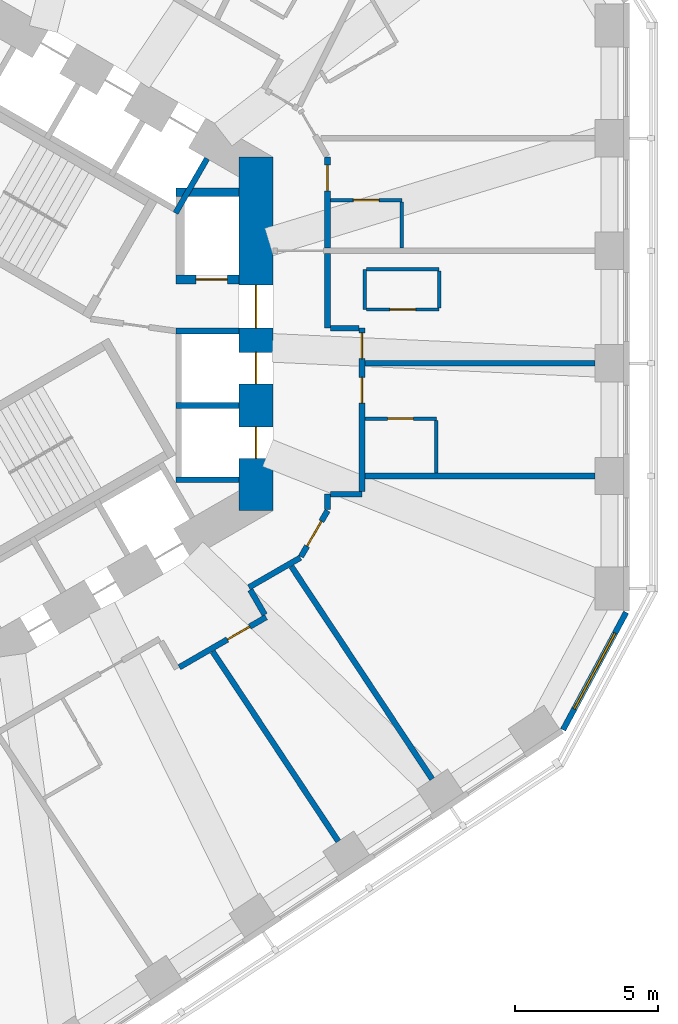
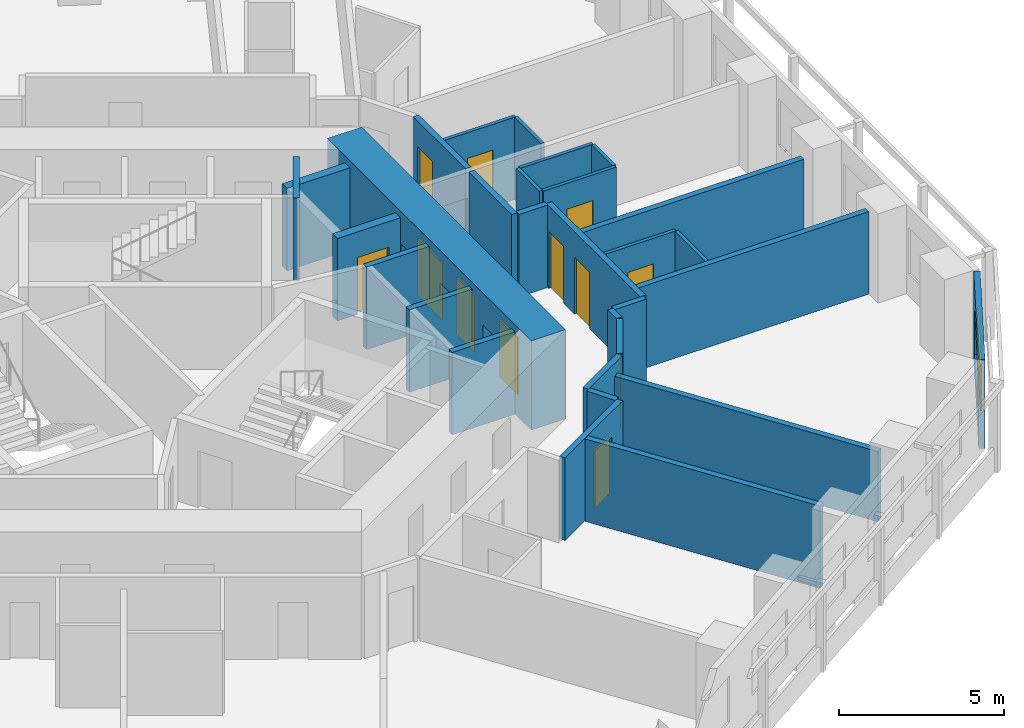
# One storey, part 6 of 12: 30 walls, 12 doors, 1 window, 13 openings.
"""IFC4 building model written with IfcOpenShell, lengths in metres."""

from ifc_helpers import new_model, si_unit, direction, frame, frame_2d, origin, place, context, subcontext, project, spatial, rectangle, extrude, material, layer, layer_set, type_object, element, fill, save


model = new_model("IFC4")

# Units and contexts
model_context = context("Model", 3, precision=1e-05, world=origin(), true_north=direction((0.0, 1.0)))
body_context = subcontext(model_context, "Body", "Model", "MODEL_VIEW")
ifc_project = project(units=[si_unit("LENGTHUNIT", "METRE"), si_unit("AREAUNIT", "SQUARE_METRE"), si_unit("VOLUMEUNIT", "CUBIC_METRE"), si_unit("PLANEANGLEUNIT", "RADIAN"), si_unit("MASSUNIT", "GRAM", prefix="KILO")], contexts=[model_context])

# Site, building, storey
site_placement = place(None, origin())
site = spatial("IfcSite", under=ifc_project, at=site_placement, CompositionType="ELEMENT")
building_placement = place(site_placement, origin())
building = spatial("IfcBuilding", under=site, at=building_placement, Name="Vanh Sen Convention Tower", CompositionType="ELEMENT")
storey_placement = place(building_placement, frame((0.0, 0.0, 50.60009765625)))
storey = spatial("IfcBuildingStorey", under=building, at=storey_placement, Name="L09", CompositionType="ELEMENT", Elevation=50.60009765625)

# Wall, opening, door
ifc_material_1 = material(Name="Moisture-resistant gypsum board on steel studs", Category="steel")
ifc_layer_1 = layer(ifc_material_1, 0.1201171875)
ifc_layer_set_1 = layer_set([ifc_layer_1], Name="Moisture-resistant gypsum board on steel studs")
wall_type_1 = type_object("IfcWallType", Name="Bathroom partition 120", PredefinedType="PARTITIONING", material=ifc_layer_set_1)
wall_1_placement = place(storey_placement, frame((12.699951171875, 4.677490234375, 0.0), z_axis=(0.0, 0.0, 1.0), x_axis=(1.0, 0.0, 0.0)))
wall_1 = element("IfcWall", 1, at=wall_1_placement, inside=storey, type_object=wall_type_1, Name="Bathroom partition 120", PredefinedType="PARTITIONING", context=body_context, shape_type="SweptSolid", body=[
    extrude(rectangle(XDim=2.5, YDim=0.1201171875, at=frame_2d((1.25, 0.0))), origin(), (0.0, 0.0, 1.0), 3.0498046875),
])
opening_1_placement = place(wall_1_placement, frame((0.800048828125, 0.0, 0.0)))
opening_1 = element("IfcOpeningElement", 2, at=opening_1_placement, cuts=wall_1, Name="Opening D07106", PredefinedType="OPENING", context=body_context, shape_type="SweptSolid", body=[
    extrude(rectangle(XDim=0.89990234375, YDim=2.10009765625, at=frame_2d((0.449951171875, 1.050048828125))), frame((0.0, 0.070068359375, 0.0), z_axis=(0.0, -1.0, 0.0), x_axis=(1.0, 0.0, 0.0)), (0.0, 0.0, 1.0), 0.14013671875),
])
ifc_material_2 = material(Name="Laminate door in steel frame", Category="steel")
door_type_1 = type_object("IfcDoorType", Name="En-suite door 900", OperationType="SINGLE_SWING_LEFT", PredefinedType="DOOR", material=ifc_material_2)
door_1_placement = place(opening_1_placement, origin())
door_1 = element("IfcDoor", 3, at=door_1_placement, inside=storey, type_object=door_type_1, Name="En-suite door D07106", OperationType="SINGLE_SWING_LEFT", OverallHeight=2.10009765625, OverallWidth=0.89990234375, PredefinedType="DOOR", context=body_context, shape_type="SweptSolid", body=[
    extrude(rectangle(XDim=0.89990234375, YDim=2.10009765625, at=frame_2d((0.449951171875, 1.050048828125))), frame((0.0, 0.02490234375, 0.0), z_axis=(0.0, -1.0, 0.0), x_axis=(1.0, 0.0, 0.0)), (0.0, 0.0, 1.0), 0.050048828125),
])
fill(opening_1, door_1)

wall_2_placement = place(storey_placement, frame((13.90087890625, -2.964599609375, 0.0), z_axis=(0.0, 0.0, 1.0), x_axis=(1.0, 0.0, 0.0)))
wall_2 = element("IfcWall", 4, at=wall_2_placement, inside=storey, type_object=wall_type_1, Name="Bathroom partition 120", PredefinedType="PARTITIONING", context=body_context, shape_type="SweptSolid", body=[
    extrude(rectangle(XDim=2.5, YDim=0.1201171875, at=frame_2d((1.25, 0.0))), origin(), (0.0, 0.0, 1.0), 3.0498046875),
])
opening_2_placement = place(wall_2_placement, frame((0.800048828125, 0.0, 0.0)))
opening_2 = element("IfcOpeningElement", 5, at=opening_2_placement, cuts=wall_2, Name="Opening D07102", PredefinedType="OPENING", context=body_context, shape_type="SweptSolid", body=[
    extrude(rectangle(XDim=0.89990234375, YDim=2.10009765625, at=frame_2d((0.449951171875, 1.050048828125))), frame((0.0, 0.070068359375, 0.0), z_axis=(0.0, -1.0, 0.0), x_axis=(1.0, 0.0, 0.0)), (0.0, 0.0, 1.0), 0.14013671875),
])
door_2_placement = place(opening_2_placement, origin())
door_2 = element("IfcDoor", 6, at=door_2_placement, inside=storey, type_object=door_type_1, Name="En-suite door D07102", OperationType="SINGLE_SWING_LEFT", OverallHeight=2.10009765625, OverallWidth=0.89990234375, PredefinedType="DOOR", context=body_context, shape_type="SweptSolid", body=[
    extrude(rectangle(XDim=0.89990234375, YDim=2.10009765625, at=frame_2d((0.449951171875, 1.050048828125))), frame((0.0, 0.02490234375, 0.0), z_axis=(0.0, -1.0, 0.0), x_axis=(1.0, 0.0, 0.0)), (0.0, 0.0, 1.0), 0.050048828125),
])
fill(opening_2, door_2)

# Walls
wall_3_placement = place(storey_placement, frame((13.89990234375, 0.852783203125, 0.0), z_axis=(0.0, 0.0, 1.0), x_axis=(0.0, 1.0, 0.0)))
element("IfcWall", 7, at=wall_3_placement, inside=storey, type_object=wall_type_1, Name="Bathroom partition 120", PredefinedType="PARTITIONING", context=body_context, shape_type="SweptSolid", body=[
    extrude(rectangle(XDim=1.39990234375, YDim=0.1201171875, at=frame_2d((0.699951171875, 0.0))), origin(), (0.0, 0.0, 1.0), 3.0498046875),
])
wall_4_placement = place(storey_placement, frame((13.9599609375, 2.252685546875, 0.0), z_axis=(0.0, 0.0, 1.0), x_axis=(1.0, 0.0, 0.0)))
element("IfcWall", 8, at=wall_4_placement, inside=storey, type_object=wall_type_1, Name="Bathroom partition 120", PredefinedType="PARTITIONING", context=body_context, shape_type="SweptSolid", body=[
    extrude(rectangle(XDim=2.5400390625, YDim=0.1201171875, at=frame_2d((1.27001953125, 0.0))), origin(), (0.0, 0.0, 1.0), 3.0498046875),
])
wall_5_placement = place(storey_placement, frame((15.199951171875, 4.61767578125, 0.0), z_axis=(0.0, 0.0, 1.0), x_axis=(0.0, -1.0, 0.0)))
element("IfcWall", 9, at=wall_5_placement, inside=storey, type_object=wall_type_1, Name="Bathroom partition 120", PredefinedType="PARTITIONING", context=body_context, shape_type="SweptSolid", body=[
    extrude(rectangle(XDim=1.61328125, YDim=0.1201171875, at=frame_2d((0.806640625, 0.0))), origin(), (0.0, 0.0, 1.0), 3.0498046875),
])
wall_6_placement = place(storey_placement, frame((16.40087890625, -3.024658203125, 0.0), z_axis=(0.0, 0.0, 1.0), x_axis=(0.0, -1.0, 0.0)))
element("IfcWall", 10, at=wall_6_placement, inside=storey, type_object=wall_type_1, Name="Bathroom partition 120", PredefinedType="PARTITIONING", context=body_context, shape_type="SweptSolid", body=[
    extrude(rectangle(XDim=1.83984375, YDim=0.1201171875, at=frame_2d((0.919921875, 0.0))), origin(), (0.0, 0.0, 1.0), 3.0498046875),
])

# Wall, opening, door
wall_7_placement = place(storey_placement, frame((16.5, 0.852783203125, 0.0), z_axis=(0.0, 0.0, 1.0), x_axis=(-1.0, 0.0, 0.0)))
wall_7 = element("IfcWall", 11, at=wall_7_placement, inside=storey, type_object=wall_type_1, Name="Bathroom partition 120", PredefinedType="PARTITIONING", context=body_context, shape_type="SweptSolid", body=[
    extrude(rectangle(XDim=2.5400390625, YDim=0.1201171875, at=frame_2d((1.27001953125, 0.0))), origin(), (0.0, 0.0, 1.0), 3.0498046875),
])
opening_3_placement = place(wall_7_placement, frame((0.820068359375, 0.0, 0.0)))
opening_3 = element("IfcOpeningElement", 12, at=opening_3_placement, cuts=wall_7, Name="Opening D07104", PredefinedType="OPENING", context=body_context, shape_type="SweptSolid", body=[
    extrude(rectangle(XDim=0.89990234375, YDim=2.10009765625, at=frame_2d((0.449951171875, 1.050048828125))), frame((0.0, 0.070068359375, 0.0), z_axis=(0.0, -1.0, 0.0), x_axis=(1.0, 0.0, 0.0)), (0.0, 0.0, 1.0), 0.14013671875),
])
door_3_placement = place(opening_3_placement, origin())
door_3 = element("IfcDoor", 13, at=door_3_placement, inside=storey, type_object=door_type_1, Name="En-suite door D07104", OperationType="SINGLE_SWING_LEFT", OverallHeight=2.10009765625, OverallWidth=0.89990234375, PredefinedType="DOOR", context=body_context, shape_type="SweptSolid", body=[
    extrude(rectangle(XDim=0.89990234375, YDim=2.10009765625, at=frame_2d((0.449951171875, 1.050048828125))), frame((0.0, 0.02490234375, 0.0), z_axis=(0.0, -1.0, 0.0), x_axis=(1.0, 0.0, 0.0)), (0.0, 0.0, 1.0), 0.050048828125),
])
fill(opening_3, door_3)

# Wall
wall_8_placement = place(storey_placement, frame((16.5, 2.19287109375, 0.0), z_axis=(0.0, 0.0, 1.0), x_axis=(0.0, -1.0, 0.0)))
element("IfcWall", 14, at=wall_8_placement, inside=storey, type_object=wall_type_1, Name="Bathroom partition 120", PredefinedType="PARTITIONING", context=body_context, shape_type="SweptSolid", body=[
    extrude(rectangle(XDim=1.280029296875, YDim=0.1201171875, at=frame_2d((0.64013671875, 0.0))), origin(), (0.0, 0.0, 1.0), 3.0498046875),
])

# Wall, openings, doors
ifc_material_3 = material(Name="Concrete C80/95", Category="concrete")
ifc_layer_2 = layer(ifc_material_3, 1.199951171875)
ifc_layer_set_2 = layer_set([ifc_layer_2], Name="Concrete C80/95")
wall_type_2 = type_object("IfcWallType", Name="Core outer wall 1200 C80/95", PredefinedType="SHEAR", material=ifc_layer_set_2)
wall_9_placement = place(storey_placement, frame((10.10009765625, -6.177490234375, 0.0), z_axis=(0.0, 0.0, 1.0), x_axis=(0.0, 1.0, 0.0)))
wall_9 = element("IfcWall", 15, at=wall_9_placement, inside=storey, type_object=wall_type_2, Name="Core wall face E L09", PredefinedType="SHEAR", context=body_context, shape_type="SweptSolid", body=[
    extrude(rectangle(XDim=12.35498046875, YDim=1.199951171875, at=frame_2d((6.177490234375, 0.0))), origin(), (0.0, 0.0, 1.0), 3.2998046875),
])
opening_4_placement = place(wall_9_placement, frame((6.377685546875, 0.0, 0.0)))
opening_4 = element("IfcOpeningElement", 16, at=opening_4_placement, cuts=wall_9, Name="Opening D07001", PredefinedType="OPENING", context=body_context, shape_type="SweptSolid", body=[
    extrude(rectangle(XDim=1.5, YDim=2.10009765625, at=frame_2d((0.75, 1.050048828125))), frame((0.0, 0.60986328125, 0.0), z_axis=(0.0, -1.0, 0.0), x_axis=(1.0, 0.0, 0.0)), (0.0, 0.0, 1.0), 1.219970703125),
])
opening_5_placement = place(wall_9_placement, frame((1.82763671875, 0.0, 0.0)))
opening_5 = element("IfcOpeningElement", 17, at=opening_5_placement, cuts=wall_9, Name="Opening LD-LR1", PredefinedType="OPENING", context=body_context, shape_type="SweptSolid", body=[
    extrude(rectangle(XDim=1.10009765625, YDim=2.10009765625, at=frame_2d((0.550048828125, 1.050048828125))), frame((0.0, 0.60986328125, 0.0), z_axis=(0.0, -1.0, 0.0), x_axis=(1.0, 0.0, 0.0)), (0.0, 0.0, 1.0), 1.219970703125),
])
opening_6_placement = place(wall_9_placement, frame((4.427490234375, 0.0, 0.0)))
opening_6 = element("IfcOpeningElement", 18, at=opening_6_placement, cuts=wall_9, Name="Opening LD-LR2", PredefinedType="OPENING", context=body_context, shape_type="SweptSolid", body=[
    extrude(rectangle(XDim=1.10009765625, YDim=2.10009765625, at=frame_2d((0.550048828125, 1.050048828125))), frame((0.0, 0.60986328125, 0.0), z_axis=(0.0, -1.0, 0.0), x_axis=(1.0, 0.0, 0.0)), (0.0, 0.0, 1.0), 1.219970703125),
])
ifc_material_4 = material(Name="Stainless steel", Category="steel")
door_type_2 = type_object("IfcDoorType", Name="Lift landing door 1100", OperationType="DOUBLE_DOOR_SLIDING", PredefinedType="DOOR", material=ifc_material_4)
door_4_placement = place(opening_5_placement, origin())
door_4 = element("IfcDoor", 19, at=door_4_placement, inside=storey, type_object=door_type_2, Name="Lift LR1 landing door LD-LR1", OperationType="DOUBLE_DOOR_SLIDING", OverallHeight=2.10009765625, OverallWidth=1.10009765625, PredefinedType="DOOR", context=body_context, shape_type="SweptSolid", body=[
    extrude(rectangle(XDim=1.10009765625, YDim=2.10009765625, at=frame_2d((0.550048828125, 1.050048828125))), frame((0.0, 0.02490234375, 0.0), z_axis=(0.0, -1.0, 0.0), x_axis=(1.0, 0.0, 0.0)), (0.0, 0.0, 1.0), 0.050048828125),
])
fill(opening_5, door_4)
door_5_placement = place(opening_6_placement, origin())
door_5 = element("IfcDoor", 20, at=door_5_placement, inside=storey, type_object=door_type_2, Name="Lift LR2 landing door LD-LR2", OperationType="DOUBLE_DOOR_SLIDING", OverallHeight=2.10009765625, OverallWidth=1.10009765625, PredefinedType="DOOR", context=body_context, shape_type="SweptSolid", body=[
    extrude(rectangle(XDim=1.10009765625, YDim=2.10009765625, at=frame_2d((0.550048828125, 1.050048828125))), frame((0.0, 0.02490234375, 0.0), z_axis=(0.0, -1.0, 0.0), x_axis=(1.0, 0.0, 0.0)), (0.0, 0.0, 1.0), 0.050048828125),
])
fill(opening_6, door_5)
ifc_material_5 = material(Name="Steel S355", Category="steel")
door_type_3 = type_object("IfcDoorType", Name="Stair lobby door 1500", OperationType="DOUBLE_DOOR_SINGLE_SWING", PredefinedType="DOOR", material=ifc_material_5)
door_6_placement = place(opening_4_placement, origin())
door_6 = element("IfcDoor", 21, at=door_6_placement, inside=storey, type_object=door_type_3, Name="Stair lobby door D07001", OperationType="DOUBLE_DOOR_SINGLE_SWING", OverallHeight=2.10009765625, OverallWidth=1.5, PredefinedType="DOOR", context=body_context, shape_type="SweptSolid", body=[
    extrude(rectangle(XDim=1.5, YDim=2.10009765625, at=frame_2d((0.75, 1.050048828125))), frame((0.0, 0.02490234375, 0.0), z_axis=(0.0, -1.0, 0.0), x_axis=(1.0, 0.0, 0.0)), (0.0, 0.0, 1.0), 0.050048828125),
])
fill(opening_4, door_6)

# Wall, opening, door
ifc_material_6 = material(Name="Gypsum board on steel studs with mineral wool", Category="steel")
ifc_layer_3 = layer(ifc_material_6, 0.199951171875)
ifc_layer_set_3 = layer_set([ifc_layer_3], Name="Gypsum board on steel studs with mineral wool")
wall_type_3 = type_object("IfcWallType", Name="Corridor partition wall 200", PredefinedType="PARTITIONING", material=ifc_layer_set_3)
wall_10_placement = place(storey_placement, frame((7.419189453125, -11.652587890625, 0.0), z_axis=(0.0, 0.0, 1.0), x_axis=(0.866038154057, 0.49997791523, 0.0)))
wall_10 = element("IfcWall", 22, at=wall_10_placement, inside=storey, type_object=wall_type_3, Name="Corridor partition wall 200", PredefinedType="PARTITIONING", context=body_context, shape_type="SweptSolid", body=[
    extrude(rectangle(XDim=3.502197265625, YDim=0.199951171875, at=frame_2d((1.7509765625, 0.0))), origin(), (0.0, 0.0, 1.0), 3.0498046875),
])
opening_7_placement = place(wall_10_placement, frame((1.939697265625, 0.0, 0.0)))
opening_7 = element("IfcOpeningElement", 23, at=opening_7_placement, cuts=wall_10, Name="Opening D07131", PredefinedType="OPENING", context=body_context, shape_type="SweptSolid", body=[
    extrude(rectangle(XDim=0.89990234375, YDim=2.10009765625, at=frame_2d((0.449951171875, 1.050048828125))), frame((0.0, 0.10986328125, 0.0), z_axis=(0.0, -1.0, 0.0), x_axis=(1.0, 0.0, 0.0)), (0.0, 0.0, 1.0), 0.219970703125),
])
ifc_material_7 = material(Name="Timber fire door in steel frame", Category="steel")
door_type_4 = type_object("IfcDoorType", Name="Floor service door 900", OperationType="SINGLE_SWING_LEFT", PredefinedType="DOOR", material=ifc_material_7)
door_7_placement = place(opening_7_placement, origin())
door_7 = element("IfcDoor", 24, at=door_7_placement, inside=storey, type_object=door_type_4, Name="Service room door D07131", OperationType="SINGLE_SWING_LEFT", OverallHeight=2.10009765625, OverallWidth=0.89990234375, PredefinedType="DOOR", context=body_context, shape_type="SweptSolid", body=[
    extrude(rectangle(XDim=0.89990234375, YDim=2.10009765625, at=frame_2d((0.449951171875, 1.050048828125))), frame((0.0, 0.02490234375, 0.0), z_axis=(0.0, -1.0, 0.0), x_axis=(1.0, 0.0, 0.0)), (0.0, 0.0, 1.0), 0.050048828125),
])
fill(opening_7, door_7)

# Walls
wall_11_placement = place(storey_placement, frame((9.8515625, -8.861328125, 0.0), z_axis=(0.0, 0.0, 1.0), x_axis=(0.866013291437, 0.500020978615, 0.0)))
element("IfcWall", 25, at=wall_11_placement, inside=storey, type_object=wall_type_3, Name="Corridor partition wall 200", PredefinedType="PARTITIONING", context=body_context, shape_type="SweptSolid", body=[
    extrude(rectangle(XDim=2.07666015625, YDim=0.199951171875, at=frame_2d((1.038330078125, 0.0))), origin(), (0.0, 0.0, 1.0), 3.0498046875),
])
wall_12_placement = place(storey_placement, frame((10.402099609375, -9.81494140625, 0.0), z_axis=(0.0, 0.0, 1.0), x_axis=(-0.499968756647, 0.866043441391, 0.0)))
element("IfcWall", 26, at=wall_12_placement, inside=storey, type_object=wall_type_3, Name="Corridor partition wall 200", PredefinedType="PARTITIONING", context=body_context, shape_type="SweptSolid", body=[
    extrude(rectangle(XDim=1.0009765625, YDim=0.199951171875, at=frame_2d((0.50048828125, 0.0))), origin(), (0.0, 0.0, 1.0), 3.0498046875),
])

# Wall, opening, door
wall_13_placement = place(storey_placement, frame((11.669921875, -7.788330078125, 0.0), z_axis=(0.0, 0.0, 1.0), x_axis=(0.500063286585, 0.865988862174, 0.0)))
wall_13 = element("IfcWall", 27, at=wall_13_placement, inside=storey, type_object=wall_type_3, Name="Corridor partition wall 200", PredefinedType="PARTITIONING", context=body_context, shape_type="SweptSolid", body=[
    extrude(rectangle(XDim=1.860107421875, YDim=0.199951171875, at=frame_2d((0.93017578125, 0.0))), origin(), (0.0, 0.0, 1.0), 3.0498046875),
])
opening_8_placement = place(wall_13_placement, frame((0.429931640625, 0.0, 0.0)))
opening_8 = element("IfcOpeningElement", 28, at=opening_8_placement, cuts=wall_13, Name="Opening D07132", PredefinedType="OPENING", context=body_context, shape_type="SweptSolid", body=[
    extrude(rectangle(XDim=1.0, YDim=2.10009765625, at=frame_2d((0.5, 1.050048828125))), frame((0.0, 0.10986328125, 0.0), z_axis=(0.0, -1.0, 0.0), x_axis=(1.0, 0.0, 0.0)), (0.0, 0.0, 1.0), 0.219970703125),
])
door_type_5 = type_object("IfcDoorType", Name="Floor room door 1000", OperationType="SINGLE_SWING_LEFT", PredefinedType="DOOR", material=ifc_material_7)
door_8_placement = place(opening_8_placement, origin())
door_8 = element("IfcDoor", 29, at=door_8_placement, inside=storey, type_object=door_type_5, Name="Meeting and amenity room door D07132", OperationType="SINGLE_SWING_LEFT", OverallHeight=2.10009765625, OverallWidth=1.0, PredefinedType="DOOR", context=body_context, shape_type="SweptSolid", body=[
    extrude(rectangle(XDim=1.0, YDim=2.10009765625, at=frame_2d((0.5, 1.050048828125))), frame((0.0, 0.02490234375, 0.0), z_axis=(0.0, -1.0, 0.0), x_axis=(1.0, 0.0, 0.0)), (0.0, 0.0, 1.0), 0.050048828125),
])
fill(opening_8, door_8)

# Walls
wall_14_placement = place(storey_placement, frame((12.60009765625, -6.1376953125, 0.0), z_axis=(0.0, 0.0, 1.0), x_axis=(0.0, 1.0, 0.0)))
element("IfcWall", 30, at=wall_14_placement, inside=storey, type_object=wall_type_3, Name="Corridor partition wall 200", PredefinedType="PARTITIONING", context=body_context, shape_type="SweptSolid", body=[
    extrude(rectangle(XDim=0.53662109375, YDim=0.199951171875, at=frame_2d((0.268310546875, 0.0))), origin(), (0.0, 0.0, 1.0), 3.0498046875),
])
wall_15_placement = place(storey_placement, frame((12.60009765625, 0.200927734375, 0.0), z_axis=(0.0, 0.0, 1.0), x_axis=(0.0, 1.0, 0.0)))
element("IfcWall", 31, at=wall_15_placement, inside=storey, type_object=wall_type_3, Name="Corridor partition wall 200", PredefinedType="PARTITIONING", context=body_context, shape_type="SweptSolid", body=[
    extrude(rectangle(XDim=2.603515625, YDim=0.199951171875, at=frame_2d((1.3017578125, 0.0))), origin(), (0.0, 0.0, 1.0), 3.0498046875),
])

# Wall, opening, door
wall_16_placement = place(storey_placement, frame((12.60009765625, 3.00439453125, 0.0), z_axis=(0.0, 0.0, 1.0), x_axis=(0.0, 1.0, 0.0)))
wall_16 = element("IfcWall", 32, at=wall_16_placement, inside=storey, type_object=wall_type_3, Name="Corridor partition wall 200", PredefinedType="PARTITIONING", context=body_context, shape_type="SweptSolid", body=[
    extrude(rectangle(XDim=3.173095703125, YDim=0.199951171875, at=frame_2d((1.58642578125, 0.0))), origin(), (0.0, 0.0, 1.0), 3.0498046875),
])
opening_9_placement = place(wall_16_placement, frame((1.998046875, 0.0, 0.0)))
opening_9 = element("IfcOpeningElement", 33, at=opening_9_placement, cuts=wall_16, Name="Opening D07105", PredefinedType="OPENING", context=body_context, shape_type="SweptSolid", body=[
    extrude(rectangle(XDim=0.89990234375, YDim=2.10009765625, at=frame_2d((0.449951171875, 1.050048828125))), frame((0.0, 0.10986328125, 0.0), z_axis=(0.0, -1.0, 0.0), x_axis=(1.0, 0.0, 0.0)), (0.0, 0.0, 1.0), 0.219970703125),
])
door_type_6 = type_object("IfcDoorType", Name="Guest room door 900", OperationType="SINGLE_SWING_LEFT", PredefinedType="DOOR", material=ifc_material_7)
door_9_placement = place(opening_9_placement, origin())
door_9 = element("IfcDoor", 34, at=door_9_placement, inside=storey, type_object=door_type_6, Name="Hotel guest room door D07105", OperationType="SINGLE_SWING_LEFT", OverallHeight=2.10009765625, OverallWidth=0.89990234375, PredefinedType="DOOR", context=body_context, shape_type="SweptSolid", body=[
    extrude(rectangle(XDim=0.89990234375, YDim=2.10009765625, at=frame_2d((0.449951171875, 1.050048828125))), frame((0.0, 0.02490234375, 0.0), z_axis=(0.0, -1.0, 0.0), x_axis=(1.0, 0.0, 0.0)), (0.0, 0.0, 1.0), 0.050048828125),
])
fill(opening_9, door_9)

# Walls
wall_17_placement = place(storey_placement, frame((12.699951171875, -5.60107421875, 0.0), z_axis=(0.0, 0.0, 1.0), x_axis=(1.0, 0.0, 0.0)))
element("IfcWall", 35, at=wall_17_placement, inside=storey, type_object=wall_type_3, Name="Corridor partition wall 200", PredefinedType="PARTITIONING", context=body_context, shape_type="SweptSolid", body=[
    extrude(rectangle(XDim=1.10107421875, YDim=0.199951171875, at=frame_2d((0.550537109375, 0.0))), origin(), (0.0, 0.0, 1.0), 3.0498046875),
])
wall_18_placement = place(storey_placement, frame((13.700927734375, 0.200927734375, 0.0), z_axis=(0.0, 0.0, 1.0), x_axis=(-1.0, 0.0, 0.0)))
element("IfcWall", 36, at=wall_18_placement, inside=storey, type_object=wall_type_3, Name="Corridor partition wall 200", PredefinedType="PARTITIONING", context=body_context, shape_type="SweptSolid", body=[
    extrude(rectangle(XDim=1.0009765625, YDim=0.199951171875, at=frame_2d((0.50048828125, 0.0))), origin(), (0.0, 0.0, 1.0), 3.0498046875),
])

# Wall, openings, doors
wall_19_placement = place(storey_placement, frame((13.801025390625, -5.5009765625, 0.0), z_axis=(0.0, 0.0, 1.0), x_axis=(0.0, 1.0, 0.0)))
wall_19 = element("IfcWall", 37, at=wall_19_placement, inside=storey, type_object=wall_type_3, Name="Corridor partition wall 200", PredefinedType="PARTITIONING", context=body_context, shape_type="SweptSolid", body=[
    extrude(rectangle(XDim=5.701904296875, YDim=0.199951171875, at=frame_2d((2.85107421875, 0.0))), origin(), (0.0, 0.0, 1.0), 3.0498046875),
])
opening_10_placement = place(wall_19_placement, frame((3.07861328125, 0.0, 0.0)))
opening_10 = element("IfcOpeningElement", 38, at=opening_10_placement, cuts=wall_19, Name="Opening D07101", PredefinedType="OPENING", context=body_context, shape_type="SweptSolid", body=[
    extrude(rectangle(XDim=0.89990234375, YDim=2.10009765625, at=frame_2d((0.449951171875, 1.050048828125))), frame((0.0, 0.10986328125, 0.0), z_axis=(0.0, -1.0, 0.0), x_axis=(1.0, 0.0, 0.0)), (0.0, 0.0, 1.0), 0.219970703125),
])
opening_11_placement = place(wall_19_placement, frame((4.636474609375, 0.0, 0.0)))
opening_11 = element("IfcOpeningElement", 39, at=opening_11_placement, cuts=wall_19, Name="Opening D07103", PredefinedType="OPENING", context=body_context, shape_type="SweptSolid", body=[
    extrude(rectangle(XDim=0.89990234375, YDim=2.10009765625, at=frame_2d((0.449951171875, 1.050048828125))), frame((0.0, 0.10986328125, 0.0), z_axis=(0.0, -1.0, 0.0), x_axis=(1.0, 0.0, 0.0)), (0.0, 0.0, 1.0), 0.219970703125),
])
door_10_placement = place(opening_10_placement, origin())
door_10 = element("IfcDoor", 40, at=door_10_placement, inside=storey, type_object=door_type_6, Name="Hotel guest room door D07101", OperationType="SINGLE_SWING_LEFT", OverallHeight=2.10009765625, OverallWidth=0.89990234375, PredefinedType="DOOR", context=body_context, shape_type="SweptSolid", body=[
    extrude(rectangle(XDim=0.89990234375, YDim=2.10009765625, at=frame_2d((0.449951171875, 1.050048828125))), frame((0.0, 0.02490234375, 0.0), z_axis=(0.0, -1.0, 0.0), x_axis=(1.0, 0.0, 0.0)), (0.0, 0.0, 1.0), 0.050048828125),
])
fill(opening_10, door_10)
door_11_placement = place(opening_11_placement, origin())
door_11 = element("IfcDoor", 41, at=door_11_placement, inside=storey, type_object=door_type_6, Name="Hotel guest room door D07103", OperationType="SINGLE_SWING_LEFT", OverallHeight=2.10009765625, OverallWidth=0.89990234375, PredefinedType="DOOR", context=body_context, shape_type="SweptSolid", body=[
    extrude(rectangle(XDim=0.89990234375, YDim=2.10009765625, at=frame_2d((0.449951171875, 1.050048828125))), frame((0.0, 0.02490234375, 0.0), z_axis=(0.0, -1.0, 0.0), x_axis=(1.0, 0.0, 0.0)), (0.0, 0.0, 1.0), 0.050048828125),
])
fill(opening_11, door_11)

# Wall, opening, window
ifc_material_8 = material(Name="Insulated lightweight infill wall")
ifc_layer_4 = layer(ifc_material_8, 0.199951171875)
ifc_layer_set_4 = layer_set([ifc_layer_4], Name="Insulated lightweight infill wall")
wall_type_4 = type_object("IfcWallType", Name="External wall 200", PredefinedType="STANDARD", material=ifc_layer_set_4)
wall_20_placement = place(storey_placement, frame((20.83251953125, -13.838623046875, 0.0), z_axis=(0.0, 0.0, 1.0), x_axis=(0.473321668581, 0.880889662813, 0.0)))
wall_20 = element("IfcWall", 42, at=wall_20_placement, inside=storey, type_object=wall_type_4, Name="External wall CH6 L09", PredefinedType="STANDARD", context=body_context, shape_type="SweptSolid", body=[
    extrude(rectangle(XDim=4.65966796875, YDim=0.199951171875, at=frame_2d((2.329833984375, 0.0))), origin(), (0.0, 0.0, 1.0), 3.2998046875),
])
opening_12_placement = place(wall_20_placement, frame((0.829833984375, 0.0, 0.800048828125)))
opening_12 = element("IfcOpeningElement", 43, at=opening_12_placement, cuts=wall_20, Name="Opening WH2-CH61", PredefinedType="OPENING", context=body_context, shape_type="SweptSolid", body=[
    extrude(rectangle(XDim=3.0, YDim=1.699951171875, at=frame_2d((1.5, 0.85009765625))), frame((0.0, 0.10986328125, 0.0), z_axis=(0.0, -1.0, 0.0), x_axis=(1.0, 0.0, 0.0)), (0.0, 0.0, 1.0), 0.219970703125),
])
ifc_material_9 = material(Name="Aluminium frame with clear low-emissivity glass", Category="aluminium")
window_type = type_object("IfcWindowType", Name="Hotel window 3000 x 1700", PartitioningType="SINGLE_PANEL", PredefinedType="WINDOW", material=ifc_material_9)
window_placement = place(opening_12_placement, origin())
window = element("IfcWindow", 44, at=window_placement, inside=storey, type_object=window_type, Name="Window WH2-CH61", OverallHeight=1.699951171875, OverallWidth=3.0, PartitioningType="SINGLE_PANEL", PredefinedType="WINDOW", context=body_context, shape_type="SweptSolid", body=[
    extrude(rectangle(XDim=3.0, YDim=1.699951171875, at=frame_2d((1.5, 0.85009765625))), frame((0.0, 0.030029296875, 0.0), z_axis=(0.0, -1.0, 0.0), x_axis=(1.0, 0.0, 0.0)), (0.0, 0.0, 1.0), 0.06005859375),
])
fill(opening_12, window)

# Wall, opening, door
ifc_material_10 = material(Name="Concrete C60/75", Category="concrete")
ifc_layer_5 = layer(ifc_material_10, 0.300048828125)
ifc_layer_set_5 = layer_set([ifc_layer_5], Name="Concrete C60/75")
wall_type_5 = type_object("IfcWallType", Name="Fire-fighting lift shaft wall 300", PredefinedType="SHEAR", material=ifc_layer_set_5)
wall_21_placement = place(storey_placement, frame((7.300048828125, 1.89990234375, 0.0), z_axis=(0.0, 0.0, 1.0), x_axis=(1.0, 0.0, 0.0)))
wall_21 = element("IfcWall", 45, at=wall_21_placement, inside=storey, type_object=wall_type_5, Name="Fire-fighting lift shaft wall L09", PredefinedType="SHEAR", context=body_context, shape_type="SweptSolid", body=[
    extrude(rectangle(XDim=2.199951171875, YDim=0.300048828125, at=frame_2d((1.10009765625, 0.0))), origin(), (0.0, 0.0, 1.0), 3.0498046875),
])
opening_13_placement = place(wall_21_placement, frame((0.699951171875, 0.0, 0.0)))
opening_13 = element("IfcOpeningElement", 46, at=opening_13_placement, cuts=wall_21, Name="Opening LD-FF1", PredefinedType="OPENING", context=body_context, shape_type="SweptSolid", body=[
    extrude(rectangle(XDim=1.10009765625, YDim=2.10009765625, at=frame_2d((0.550048828125, 1.050048828125))), frame((0.0, 0.159912109375, 0.0), z_axis=(0.0, -1.0, 0.0), x_axis=(1.0, 0.0, 0.0)), (0.0, 0.0, 1.0), 0.320068359375),
])
door_type_7 = type_object("IfcDoorType", Name="Fire-fighting lift landing door 1100", OperationType="DOUBLE_DOOR_SLIDING", PredefinedType="DOOR", material=ifc_material_4)
door_12_placement = place(opening_13_placement, origin())
door_12 = element("IfcDoor", 47, at=door_12_placement, inside=storey, type_object=door_type_7, Name="Lift FF1 landing door LD-FF1", OperationType="DOUBLE_DOOR_SLIDING", OverallHeight=2.10009765625, OverallWidth=1.10009765625, PredefinedType="DOOR", context=body_context, shape_type="SweptSolid", body=[
    extrude(rectangle(XDim=1.10009765625, YDim=2.10009765625, at=frame_2d((0.550048828125, 1.050048828125))), frame((0.0, 0.02490234375, 0.0), z_axis=(0.0, -1.0, 0.0), x_axis=(1.0, 0.0, 0.0)), (0.0, 0.0, 1.0), 0.050048828125),
])
fill(opening_13, door_12)

# Walls
wall_22_placement = place(storey_placement, frame((7.300048828125, 4.949951171875, 0.0), z_axis=(0.0, 0.0, 1.0), x_axis=(1.0, 0.0, 0.0)))
element("IfcWall", 48, at=wall_22_placement, inside=storey, type_object=wall_type_5, Name="Fire-fighting lift shaft wall L09", PredefinedType="SHEAR", context=body_context, shape_type="SweptSolid", body=[
    extrude(rectangle(XDim=2.199951171875, YDim=0.300048828125, at=frame_2d((1.10009765625, 0.0))), origin(), (0.0, 0.0, 1.0), 3.0498046875),
])
ifc_layer_6 = layer(ifc_material_6, 0.199951171875)
ifc_layer_set_6 = layer_set([ifc_layer_6], Name="Gypsum board on steel studs with mineral wool")
wall_type_6 = type_object("IfcWallType", Name="Hotel party wall 200", PredefinedType="PARTITIONING", material=ifc_layer_set_6)
wall_23_placement = place(storey_placement, frame((12.973876953125, -17.7353515625, 0.0), z_axis=(0.0, 0.0, 1.0), x_axis=(-0.55192625685, 0.833892922982, 0.0)))
element("IfcWall", 49, at=wall_23_placement, inside=storey, type_object=wall_type_6, Name="Hotel party wall 200", PredefinedType="PARTITIONING", context=body_context, shape_type="SweptSolid", body=[
    extrude(rectangle(XDim=7.9501953125, YDim=0.199951171875, at=frame_2d((3.97509765625, 0.0))), origin(), (0.0, 0.0, 1.0), 3.0498046875),
])
wall_24_placement = place(storey_placement, frame((13.90087890625, -4.964599609375, 0.0), z_axis=(0.0, 0.0, 1.0), x_axis=(1.0, 0.0, 0.0)))
element("IfcWall", 50, at=wall_24_placement, inside=storey, type_object=wall_type_6, Name="Hotel party wall 200", PredefinedType="PARTITIONING", context=body_context, shape_type="SweptSolid", body=[
    extrude(rectangle(XDim=8.049072265625, YDim=0.199951171875, at=frame_2d((4.0244140625, 0.0))), origin(), (0.0, 0.0, 1.0), 3.0498046875),
])
wall_25_placement = place(storey_placement, frame((16.2548828125, -15.563720703125, 0.0), z_axis=(0.0, 0.0, 1.0), x_axis=(-0.55192208744, 0.833895682562, 0.0)))
element("IfcWall", 51, at=wall_25_placement, inside=storey, type_object=wall_type_6, Name="Hotel party wall 200", PredefinedType="PARTITIONING", context=body_context, shape_type="SweptSolid", body=[
    extrude(rectangle(XDim=8.912841796875, YDim=0.199951171875, at=frame_2d((4.45654296875, 0.0))), origin(), (0.0, 0.0, 1.0), 2.599853515625),
])
wall_26_placement = place(storey_placement, frame((21.949951171875, -1.030029296875, 0.0), z_axis=(0.0, 0.0, 1.0), x_axis=(-1.0, 0.0, 0.0)))
element("IfcWall", 52, at=wall_26_placement, inside=storey, type_object=wall_type_6, Name="Hotel party wall 200", PredefinedType="PARTITIONING", context=body_context, shape_type="SweptSolid", body=[
    extrude(rectangle(XDim=8.049072265625, YDim=0.199951171875, at=frame_2d((4.0244140625, 0.0))), origin(), (0.0, 0.0, 1.0), 2.599853515625),
])
ifc_material_11 = material(Name="Concrete C40/50", Category="concrete")
ifc_layer_7 = layer(ifc_material_11, 0.199951171875)
ifc_layer_set_7 = layer_set([ifc_layer_7], Name="Concrete C40/50")
wall_type_7 = type_object("IfcWallType", Name="Lift shaft wall 200", PredefinedType="PARTITIONING", material=ifc_layer_set_7)
for number, where, z_axis, x_axis, name in (
    (53, (7.300048828125, -5.10009765625, 0.0), (0.0, 0.0, 1.0), (1.0, 0.0, 0.0), "Lift shaft wall L09"),
    (54, (7.300048828125, -2.5, 0.0), (0.0, 0.0, 1.0), (1.0, 0.0, 0.0), "Lift shaft wall L09"),
    (55, (7.300048828125, 0.10009765625, 0.0), (0.0, 0.0, 1.0), (1.0, 0.0, 0.0), "Lift shaft wall L09"),
    (56, (7.287353515625, 4.221923828125, 0.0), (0.0, 0.0, 1.0), (0.499946605688, 0.86605622881, 0.0), "Lift shaft wall L09"),
):
    element("IfcWall", number, at=place(storey_placement, frame(where, z_axis=z_axis, x_axis=x_axis)), inside=storey, type_object=wall_type_7, Name=name, PredefinedType="PARTITIONING", context=body_context, shape_type="SweptSolid", body=[
        extrude(rectangle(XDim=2.199951171875, YDim=0.199951171875, at=frame_2d((1.10009765625, 0.0))), origin(), (0.0, 0.0, 1.0), 3.0498046875),
    ])

save(model, "model.ifc")
